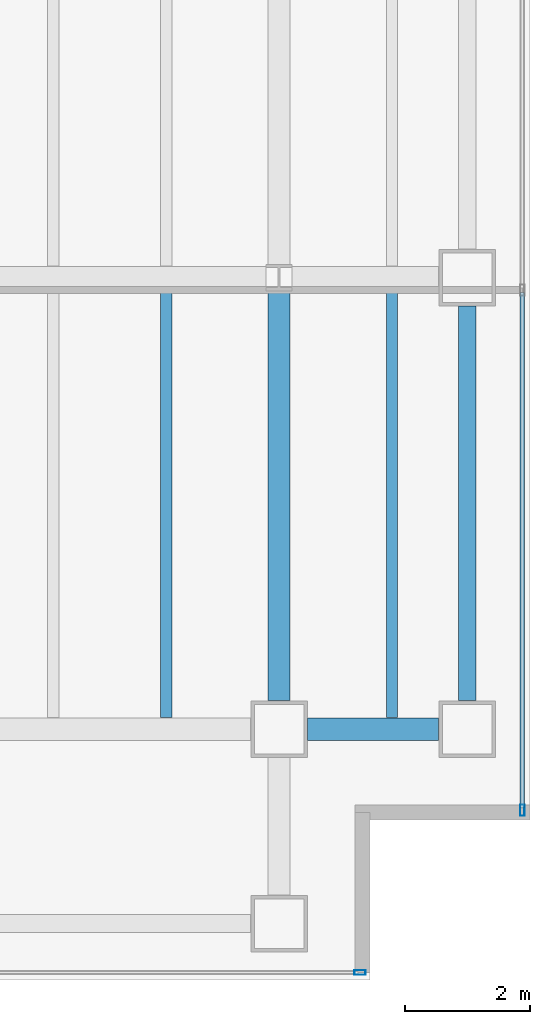
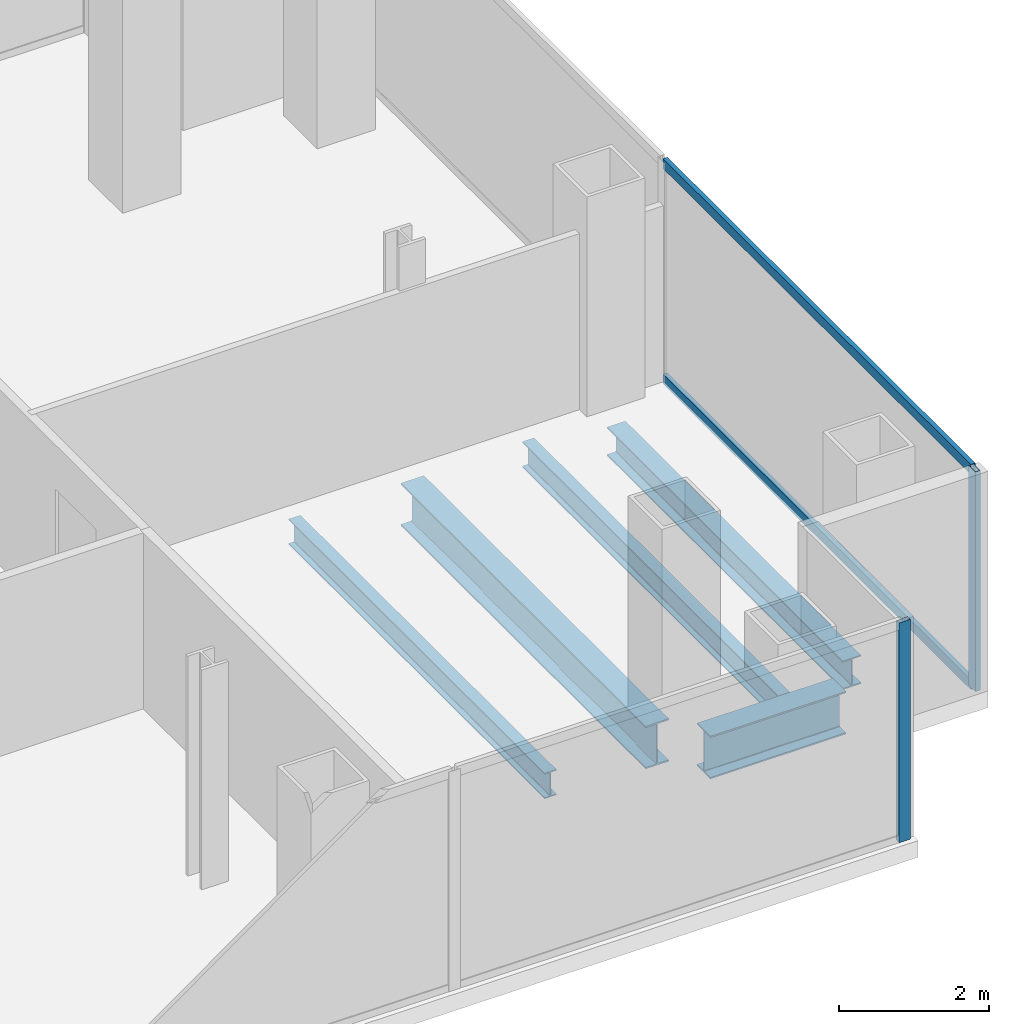
# One storey, part 11 of 23: 5 beams, 4 members, 2 elements without a shape of their own.
"""IFC4 building model written with IfcOpenShell, lengths in metres."""

from ifc_helpers import new_model, si_unit, direction, frame, origin, origin_2d, place, context, subcontext, project, spatial, hollow_rectangle, i_section, extrude, material, material_profile, profile_set, type_object, element, aggregate, save


model = new_model("IFC4")

# Units and contexts
model_context = context("Model", 3, precision=1e-05, world=origin(), true_north=direction((0.0, 1.0)))
body_context = subcontext(model_context, "Body", "Model", "MODEL_VIEW")
ifc_project = project(units=[si_unit("LENGTHUNIT", "METRE"), si_unit("AREAUNIT", "SQUARE_METRE"), si_unit("VOLUMEUNIT", "CUBIC_METRE"), si_unit("PLANEANGLEUNIT", "RADIAN"), si_unit("MASSUNIT", "GRAM", prefix="KILO")], contexts=[model_context])

# Site, building, storey
site_placement = place(None, origin())
site = spatial("IfcSite", under=ifc_project, at=site_placement, CompositionType="ELEMENT")
building_placement = place(site_placement, origin())
building = spatial("IfcBuilding", under=site, at=building_placement, Name="Cobrela Telecom Tower", CompositionType="ELEMENT")
storey_placement = place(building_placement, frame((0.0, 0.0, 133.0)))
storey = spatial("IfcBuildingStorey", under=building, at=storey_placement, Name="L33", CompositionType="ELEMENT", Elevation=133.0)

# Beams
ifc_material_1 = material(Name="Steel ASTM A992 Grade 50", Category="steel")
ifc_material_profile_1 = material_profile(ifc_material_1, i_section(OverallWidth=0.35595703125, OverallDepth=0.696044921875, WebThickness=0.015380859375, FlangeThickness=0.024658203125, FilletRadius=0.01806640625, at=origin_2d()), Name="W27X146")
ifc_profile_set_1 = profile_set([ifc_material_profile_1], Name="Steel ASTM A992 Grade 50")
beam_type_1 = type_object("IfcBeamType", Name="BM-GIRD-05", PredefinedType="USERDEFINED", material=ifc_profile_set_1)
beam_1_placement = place(storey_placement, frame((43.655029296875, 7.199951171875, -0.617919921875), z_axis=(1.0, 0.0, 0.0), x_axis=(0.0, 1.0, 0.0)))
element("IfcBeam", 1, at=beam_1_placement, inside=storey, type_object=beam_type_1, Name="L33 Primary Girder X12", ObjectType="GIRDER", PredefinedType="USERDEFINED", context=body_context, shape_type="SweptSolid", body=[
    extrude(i_section(OverallWidth=0.35595703125, OverallDepth=0.696044921875, WebThickness=0.015380859375, FlangeThickness=0.024658203125, FilletRadius=0.01806640625, at=origin_2d()), origin(), (0.0, 0.0, 1.0), 2.090087890625),
])
beam_2_placement = place(storey_placement, frame((43.199951171875, 7.655029296875, -0.617919921875), z_axis=(0.0, 1.0, 0.0), x_axis=(-1.0, 0.0, 0.0)))
element("IfcBeam", 2, at=beam_2_placement, inside=storey, type_object=beam_type_1, Name="L33 Primary Girder Y53", ObjectType="GIRDER", PredefinedType="USERDEFINED", context=body_context, shape_type="SweptSolid", body=[
    extrude(i_section(OverallWidth=0.35595703125, OverallDepth=0.696044921875, WebThickness=0.015380859375, FlangeThickness=0.024658203125, FilletRadius=0.01806640625, at=origin_2d()), origin(), (0.0, 0.0, 1.0), 6.535400390625),
])
ifc_material_profile_2 = material_profile(ifc_material_1, i_section(OverallWidth=0.179931640625, OverallDepth=0.4169921875, WebThickness=0.010986328125, FlangeThickness=0.01806640625, FilletRadius=0.011962890625, at=origin_2d()), Name="W16X57")
ifc_profile_set_2 = profile_set([ifc_material_profile_2], Name="Steel ASTM A992 Grade 50")
beam_type_2 = type_object("IfcBeamType", Name="BM-JOIST-04", PredefinedType="JOIST", material=ifc_profile_set_2)
for number, where, z_axis, x_axis, name in (
    (3, (41.39990234375, 7.383056640625, -0.478515625), (0.0, 1.0, 0.0), (-1.0, 0.0, 0.0), "L33 Secondary Composite Floor Beam J37"),
    (4, (45.0, 7.383056640625, -0.478515625), (0.0, 1.0, 0.0), (-1.0, 0.0, 0.0), "L33 Secondary Composite Floor Beam J39"),
):
    element("IfcBeam", number, at=place(storey_placement, frame(where, z_axis=z_axis, x_axis=x_axis)), inside=storey, type_object=beam_type_2, Name=name, PredefinedType="JOIST", context=body_context, shape_type="SweptSolid", body=[
        extrude(i_section(OverallWidth=0.179931640625, OverallDepth=0.4169921875, WebThickness=0.010986328125, FlangeThickness=0.01806640625, FilletRadius=0.011962890625, at=origin_2d()), origin(), (0.0, 0.0, 1.0), 6.833984375),
    ])
ifc_material_profile_3 = material_profile(ifc_material_1, i_section(OverallWidth=0.281982421875, OverallDepth=0.467041015625, WebThickness=0.01220703125, FlangeThickness=0.01953125, FilletRadius=0.012939453125, at=origin_2d()), Name="W18X86")
ifc_profile_set_3 = profile_set([ifc_material_profile_3], Name="Steel ASTM A992 Grade 50")
beam_type_3 = type_object("IfcBeamType", Name="BM-SPAND-04", PredefinedType="SPANDREL", material=ifc_profile_set_3)
beam_3_placement = place(storey_placement, frame((46.199951171875, 7.655029296875, -0.50341796875), z_axis=(0.0, 1.0, 0.0), x_axis=(-1.0, 0.0, 0.0)))
element("IfcBeam", 5, at=beam_3_placement, inside=storey, type_object=beam_type_3, Name="L33 Perimeter Spandrel Y55", PredefinedType="SPANDREL", context=body_context, shape_type="SweptSolid", body=[
    extrude(i_section(OverallWidth=0.281982421875, OverallDepth=0.467041015625, WebThickness=0.01220703125, FlangeThickness=0.01953125, FilletRadius=0.012939453125, at=origin_2d()), origin(), (0.0, 0.0, 1.0), 6.2900390625),
])

# Curtain wall, member
ifc_material_2 = material(Name="Anodized Bronze Aluminium 6063-T6", Category="aluminium")
curtain_wall_type = type_object("IfcCurtainWallType", Name="CW-SYS-TEL", PredefinedType="USERDEFINED", material=ifc_material_2)
curtain_wall_1_placement = place(storey_placement, origin())
curtain_wall_1 = element("IfcCurtainWall", 6, at=curtain_wall_1_placement, inside=storey, type_object=curtain_wall_type, Name="L33 Unitised Bronze Curtain Wall 14", ObjectType="UNITISED CURTAIN WALL", PredefinedType="USERDEFINED")
ifc_material_profile_4 = material_profile(ifc_material_2, hollow_rectangle(XDim=0.074951171875, YDim=0.179931640625, WallThickness=0.00390625, at=origin_2d()), Name="ALU 75x180x4")
ifc_profile_set_4 = profile_set([ifc_material_profile_4], Name="Anodized Bronze Aluminium 6063-T6")
member_type_1 = type_object("IfcMemberType", Name="CW-SYS-TEL-MUL", PredefinedType="MULLION", material=ifc_profile_set_4)
member_1_placement = place(storey_placement, frame((47.080078125, 5.907470703125, 0.0), z_axis=(0.0, 0.0, 1.0), x_axis=(1.0, 0.0, 0.0)))
member_1 = element("IfcMember", 7, at=member_1_placement, type_object=member_type_1, Name="CW-TEL mullion 3", PredefinedType="MULLION", context=body_context, shape_type="SweptSolid", body=[
    extrude(hollow_rectangle(XDim=0.074951171875, YDim=0.179931640625, WallThickness=0.00390625, at=origin_2d()), origin(), (0.0, 0.0, 1.0), 3.580078125),
])

curtain_wall_2_placement = place(storey_placement, origin())
curtain_wall_2 = element("IfcCurtainWall", 8, at=curtain_wall_2_placement, inside=storey, type_object=curtain_wall_type, Name="L33 Unitised Bronze Curtain Wall 17", ObjectType="UNITISED CURTAIN WALL", PredefinedType="USERDEFINED")
member_2_placement = place(storey_placement, frame((44.492431640625, 3.320068359375, 0.0), z_axis=(0.0, 0.0, 1.0), x_axis=(0.0, -1.0, 0.0)))
member_2 = element("IfcMember", 9, at=member_2_placement, type_object=member_type_1, Name="CW-TEL mullion 1", PredefinedType="MULLION", context=body_context, shape_type="SweptSolid", body=[
    extrude(hollow_rectangle(XDim=0.074951171875, YDim=0.179931640625, WallThickness=0.00390625, at=origin_2d()), origin(), (0.0, 0.0, 1.0), 3.580078125),
])
aggregate(curtain_wall_2, [member_2])

# Member
ifc_material_profile_5 = material_profile(ifc_material_2, hollow_rectangle(XDim=0.070068359375, YDim=0.159912109375, WallThickness=0.00390625, at=origin_2d()), Name="ALU 70x160x4")
ifc_profile_set_5 = profile_set([ifc_material_profile_5], Name="Anodized Bronze Aluminium 6063-T6")
member_type_2 = type_object("IfcMemberType", Name="CW-SYS-TEL-TRN", PredefinedType="USERDEFINED", material=ifc_profile_set_5)
member_3_placement = place(storey_placement, frame((47.080078125, 14.16259765625, 0.034912109375), z_axis=(0.0, -1.0, 0.0), x_axis=(1.0, 0.0, 0.0)))
member_3 = element("IfcMember", 10, at=member_3_placement, type_object=member_type_2, Name="CW-TEL transom 2.1", ObjectType="TRANSOM", PredefinedType="USERDEFINED", context=body_context, shape_type="SweptSolid", body=[
    extrude(hollow_rectangle(XDim=0.070068359375, YDim=0.159912109375, WallThickness=0.00390625, at=origin_2d()), origin(), (0.0, 0.0, 1.0), 8.217529296875),
])

member_4_placement = place(storey_placement, frame((47.080078125, 14.16259765625, 3.544921875), z_axis=(0.0, -1.0, 0.0), x_axis=(1.0, 0.0, 0.0)))
member_4 = element("IfcMember", 11, at=member_4_placement, type_object=member_type_2, Name="CW-TEL transom 2.2", ObjectType="TRANSOM", PredefinedType="USERDEFINED", context=body_context, shape_type="SweptSolid", body=[
    extrude(hollow_rectangle(XDim=0.070068359375, YDim=0.159912109375, WallThickness=0.00390625, at=origin_2d()), origin(), (0.0, 0.0, 1.0), 8.217529296875),
])

aggregate(curtain_wall_1, [member_1, member_3, member_4])

save(model, "model.ifc")
